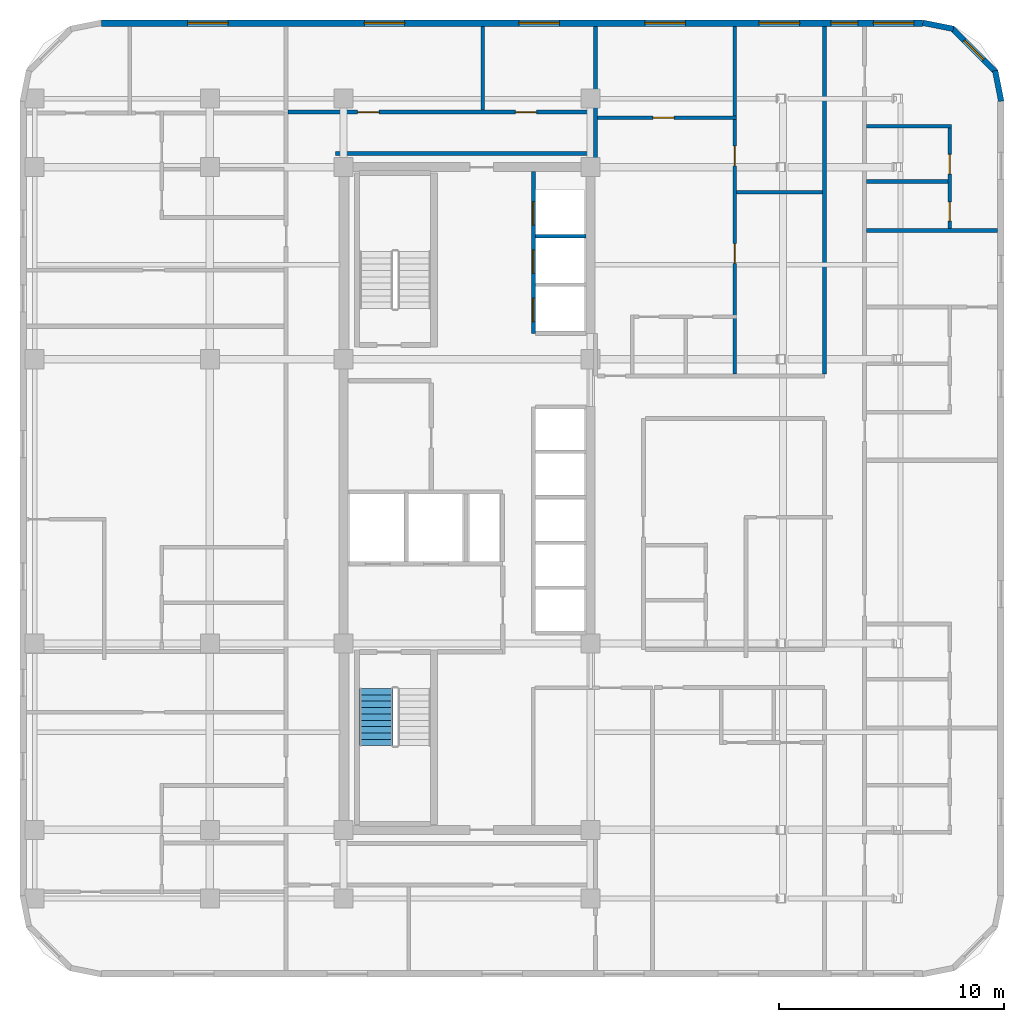
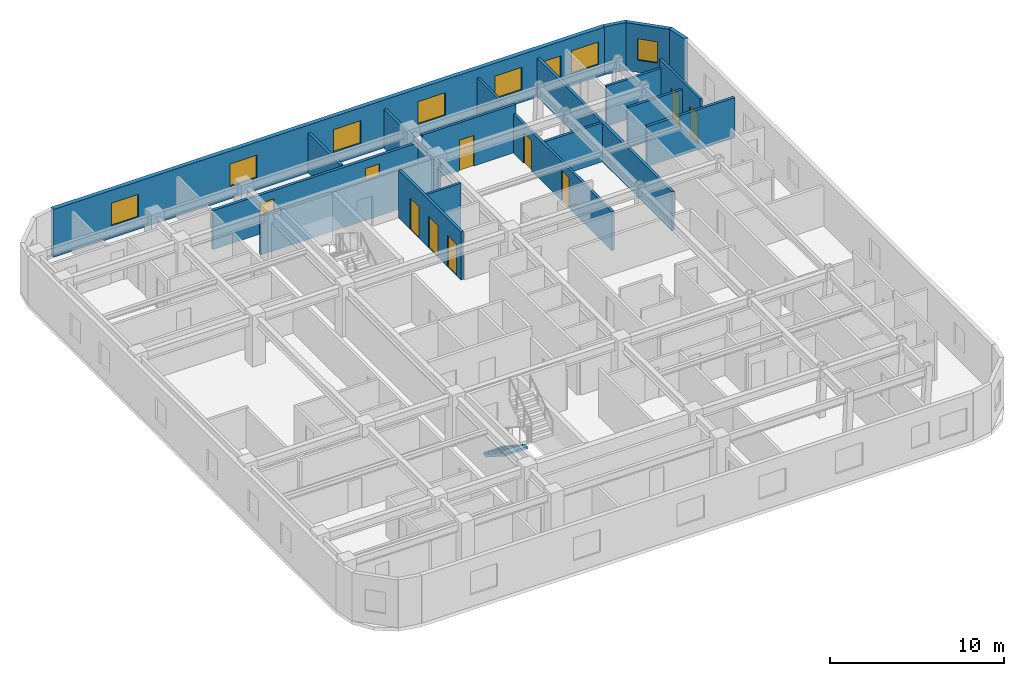
# One storey, part 7 of 9: 18 walls, 10 doors, 8 windows, 1 stair flight, 18 openings, 1 element without a shape of its own.
"""IFC4 building model written with IfcOpenShell, lengths in metres."""

from ifc_helpers import new_model, si_unit, direction, frame, frame_2d, origin, place, context, subcontext, project, spatial, polyline, rectangle, outline, extrude, material, layer, layer_set, type_object, element, fill, aggregate, save


model = new_model("IFC4")

# Units and contexts
model_context = context("Model", 3, precision=1e-05, world=origin(), true_north=direction((0.0, 1.0)))
body_context = subcontext(model_context, "Body", "Model", "MODEL_VIEW")
ifc_project = project(units=[si_unit("LENGTHUNIT", "METRE"), si_unit("AREAUNIT", "SQUARE_METRE"), si_unit("VOLUMEUNIT", "CUBIC_METRE"), si_unit("PLANEANGLEUNIT", "RADIAN"), si_unit("MASSUNIT", "GRAM", prefix="KILO")], contexts=[model_context])

# Site, building, storey
site_placement = place(None, origin())
site = spatial("IfcSite", under=ifc_project, at=site_placement, CompositionType="ELEMENT")
building_placement = place(site_placement, origin())
building = spatial("IfcBuilding", under=site, at=building_placement, Name="Ochreholt Gables", CompositionType="ELEMENT")
storey_placement = place(building_placement, frame((0.0, 0.0, 106.199951171875)))
storey = spatial("IfcBuildingStorey", under=building, at=storey_placement, Name="L27", CompositionType="ELEMENT", Elevation=106.199951171875)

# Wall, openings, windows
ifc_material_1 = material(Name="Precast concrete 40 MPa", Category="concrete")
ifc_layer_1 = layer(ifc_material_1, 0.280029296875, Name="Precast concrete 40 MPa")
ifc_layer_set_1 = layer_set([ifc_layer_1], Name="Precast concrete 40 MPa")
wall_type_1 = type_object("IfcWallType", Name="WALL-EXT-280", PredefinedType="SOLIDWALL", material=ifc_layer_set_1)
wall_1_placement = place(storey_placement, frame((49.97998046875, 45.159912109375, 0.0), z_axis=(0.0, 0.0, 1.0), x_axis=(-1.0, 0.0, 0.0)))
wall_1 = element("IfcWall", 1, at=wall_1_placement, inside=storey, type_object=wall_type_1, Name="L27 North Exterior Wall", PredefinedType="SOLIDWALL", context=body_context, shape_type="SweptSolid", body=[
    extrude(rectangle(XDim=36.56005859375, YDim=0.280029296875, at=frame_2d((18.280029296875, 0.0))), origin(), (0.0, 0.0, 1.0), 3.360107421875),
])
opening_1_placement = place(wall_1_placement, frame((30.9150390625, 0.0, 0.85009765625)))
opening_1 = element("IfcOpeningElement", 2, at=opening_1_placement, cuts=wall_1, Name="Opening WN-1", PredefinedType="OPENING", context=body_context, shape_type="SweptSolid", body=[
    extrude(rectangle(XDim=1.800048828125, YDim=1.60009765625, at=frame_2d((0.89990234375, 0.800048828125))), frame((0.0, 0.14990234375, 0.0), z_axis=(0.0, -1.0, 0.0), x_axis=(1.0, 0.0, 0.0)), (0.0, 0.0, 1.0), 0.300048828125),
])
opening_2_placement = place(wall_1_placement, frame((23.054931640625, 0.0, 0.85009765625)))
opening_2 = element("IfcOpeningElement", 3, at=opening_2_placement, cuts=wall_1, Name="Opening WN-1", PredefinedType="OPENING", context=body_context, shape_type="SweptSolid", body=[
    extrude(rectangle(XDim=1.800048828125, YDim=1.60009765625, at=frame_2d((0.89990234375, 0.800048828125))), frame((0.0, 0.14990234375, 0.0), z_axis=(0.0, -1.0, 0.0), x_axis=(1.0, 0.0, 0.0)), (0.0, 0.0, 1.0), 0.300048828125),
])
opening_3_placement = place(wall_1_placement, frame((16.169921875, 0.0, 0.85009765625)))
opening_3 = element("IfcOpeningElement", 4, at=opening_3_placement, cuts=wall_1, Name="Opening WN-1", PredefinedType="OPENING", context=body_context, shape_type="SweptSolid", body=[
    extrude(rectangle(XDim=1.800048828125, YDim=1.60009765625, at=frame_2d((0.89990234375, 0.800048828125))), frame((0.0, 0.14990234375, 0.0), z_axis=(0.0, -1.0, 0.0), x_axis=(1.0, 0.0, 0.0)), (0.0, 0.0, 1.0), 0.300048828125),
])
opening_4_placement = place(wall_1_placement, frame((10.56494140625, 0.0, 0.85009765625)))
opening_4 = element("IfcOpeningElement", 5, at=opening_4_placement, cuts=wall_1, Name="Opening WN-1", PredefinedType="OPENING", context=body_context, shape_type="SweptSolid", body=[
    extrude(rectangle(XDim=1.800048828125, YDim=1.60009765625, at=frame_2d((0.89990234375, 0.800048828125))), frame((0.0, 0.14990234375, 0.0), z_axis=(0.0, -1.0, 0.0), x_axis=(1.0, 0.0, 0.0)), (0.0, 0.0, 1.0), 0.300048828125),
])
opening_5_placement = place(wall_1_placement, frame((5.47509765625, 0.0, 0.85009765625)))
opening_5 = element("IfcOpeningElement", 6, at=opening_5_placement, cuts=wall_1, Name="Opening WN-1", PredefinedType="OPENING", context=body_context, shape_type="SweptSolid", body=[
    extrude(rectangle(XDim=1.800048828125, YDim=1.60009765625, at=frame_2d((0.89990234375, 0.800048828125))), frame((0.0, 0.14990234375, 0.0), z_axis=(0.0, -1.0, 0.0), x_axis=(1.0, 0.0, 0.0)), (0.0, 0.0, 1.0), 0.300048828125),
])
opening_6_placement = place(wall_1_placement, frame((2.8798828125, 0.0, 0.85009765625)))
opening_6 = element("IfcOpeningElement", 7, at=opening_6_placement, cuts=wall_1, Name="Opening WN-3", PredefinedType="OPENING", context=body_context, shape_type="SweptSolid", body=[
    extrude(rectangle(XDim=1.199951171875, YDim=1.5, at=frame_2d((0.60009765625, 0.75))), frame((0.0, 0.14990234375, 0.0), z_axis=(0.0, -1.0, 0.0), x_axis=(1.0, 0.0, 0.0)), (0.0, 0.0, 1.0), 0.300048828125),
])
opening_7_placement = place(wall_1_placement, frame((0.389892578125, 0.0, 0.85009765625)))
opening_7 = element("IfcOpeningElement", 8, at=opening_7_placement, cuts=wall_1, Name="Opening WN-1", PredefinedType="OPENING", context=body_context, shape_type="SweptSolid", body=[
    extrude(rectangle(XDim=1.800048828125, YDim=1.60009765625, at=frame_2d((0.89990234375, 0.800048828125))), frame((0.0, 0.14990234375, 0.0), z_axis=(0.0, -1.0, 0.0), x_axis=(1.0, 0.0, 0.0)), (0.0, 0.0, 1.0), 0.300048828125),
])
ifc_material_2 = material(Name="Triple-Glazed Thermally Broken Aluminium Window", Category="aluminium")
window_type_1 = type_object("IfcWindowType", Name="WIN-RES-1200", PartitioningType="SINGLE_PANEL", PredefinedType="WINDOW", material=ifc_material_2)
window_1_placement = place(opening_6_placement, origin())
window_1 = element("IfcWindow", 9, at=window_1_placement, inside=storey, type_object=window_type_1, Name="L27 Window W-EXT-N-L27-6", OverallHeight=1.5, OverallWidth=1.199951171875, PartitioningType="SINGLE_PANEL", PredefinedType="WINDOW", context=body_context, shape_type="SweptSolid", body=[
    extrude(rectangle(XDim=1.199951171875, YDim=1.5, at=frame_2d((0.60009765625, 0.75))), frame((0.0, 0.030029296875, 0.0), z_axis=(0.0, -1.0, 0.0), x_axis=(1.0, 0.0, 0.0)), (0.0, 0.0, 1.0), 0.06005859375),
])
fill(opening_6, window_1)
window_type_2 = type_object("IfcWindowType", Name="WIN-RES-1800", PartitioningType="SINGLE_PANEL", PredefinedType="WINDOW", material=ifc_material_2)
window_2_placement = place(opening_1_placement, origin())
window_2 = element("IfcWindow", 10, at=window_2_placement, inside=storey, type_object=window_type_2, Name="L27 Window W-EXT-N-L27-1", OverallHeight=1.60009765625, OverallWidth=1.800048828125, PartitioningType="SINGLE_PANEL", PredefinedType="WINDOW", context=body_context, shape_type="SweptSolid", body=[
    extrude(rectangle(XDim=1.800048828125, YDim=1.60009765625, at=frame_2d((0.89990234375, 0.800048828125))), frame((0.0, 0.030029296875, 0.0), z_axis=(0.0, -1.0, 0.0), x_axis=(1.0, 0.0, 0.0)), (0.0, 0.0, 1.0), 0.06005859375),
])
fill(opening_1, window_2)
window_3_placement = place(opening_2_placement, origin())
window_3 = element("IfcWindow", 11, at=window_3_placement, inside=storey, type_object=window_type_2, Name="L27 Window W-EXT-N-L27-2", OverallHeight=1.60009765625, OverallWidth=1.800048828125, PartitioningType="SINGLE_PANEL", PredefinedType="WINDOW", context=body_context, shape_type="SweptSolid", body=[
    extrude(rectangle(XDim=1.800048828125, YDim=1.60009765625, at=frame_2d((0.89990234375, 0.800048828125))), frame((0.0, 0.030029296875, 0.0), z_axis=(0.0, -1.0, 0.0), x_axis=(1.0, 0.0, 0.0)), (0.0, 0.0, 1.0), 0.06005859375),
])
fill(opening_2, window_3)
window_4_placement = place(opening_3_placement, origin())
window_4 = element("IfcWindow", 12, at=window_4_placement, inside=storey, type_object=window_type_2, Name="L27 Window W-EXT-N-L27-3", OverallHeight=1.60009765625, OverallWidth=1.800048828125, PartitioningType="SINGLE_PANEL", PredefinedType="WINDOW", context=body_context, shape_type="SweptSolid", body=[
    extrude(rectangle(XDim=1.800048828125, YDim=1.60009765625, at=frame_2d((0.89990234375, 0.800048828125))), frame((0.0, 0.030029296875, 0.0), z_axis=(0.0, -1.0, 0.0), x_axis=(1.0, 0.0, 0.0)), (0.0, 0.0, 1.0), 0.06005859375),
])
fill(opening_3, window_4)
window_5_placement = place(opening_4_placement, origin())
window_5 = element("IfcWindow", 13, at=window_5_placement, inside=storey, type_object=window_type_2, Name="L27 Window W-EXT-N-L27-4", OverallHeight=1.60009765625, OverallWidth=1.800048828125, PartitioningType="SINGLE_PANEL", PredefinedType="WINDOW", context=body_context, shape_type="SweptSolid", body=[
    extrude(rectangle(XDim=1.800048828125, YDim=1.60009765625, at=frame_2d((0.89990234375, 0.800048828125))), frame((0.0, 0.030029296875, 0.0), z_axis=(0.0, -1.0, 0.0), x_axis=(1.0, 0.0, 0.0)), (0.0, 0.0, 1.0), 0.06005859375),
])
fill(opening_4, window_5)
window_6_placement = place(opening_5_placement, origin())
window_6 = element("IfcWindow", 14, at=window_6_placement, inside=storey, type_object=window_type_2, Name="L27 Window W-EXT-N-L27-5", OverallHeight=1.60009765625, OverallWidth=1.800048828125, PartitioningType="SINGLE_PANEL", PredefinedType="WINDOW", context=body_context, shape_type="SweptSolid", body=[
    extrude(rectangle(XDim=1.800048828125, YDim=1.60009765625, at=frame_2d((0.89990234375, 0.800048828125))), frame((0.0, 0.030029296875, 0.0), z_axis=(0.0, -1.0, 0.0), x_axis=(1.0, 0.0, 0.0)), (0.0, 0.0, 1.0), 0.06005859375),
])
fill(opening_5, window_6)
window_7_placement = place(opening_7_placement, origin())
window_7 = element("IfcWindow", 15, at=window_7_placement, inside=storey, type_object=window_type_2, Name="L27 Window W-EXT-N-L27-7", OverallHeight=1.60009765625, OverallWidth=1.800048828125, PartitioningType="SINGLE_PANEL", PredefinedType="WINDOW", context=body_context, shape_type="SweptSolid", body=[
    extrude(rectangle(XDim=1.800048828125, YDim=1.60009765625, at=frame_2d((0.89990234375, 0.800048828125))), frame((0.0, 0.030029296875, 0.0), z_axis=(0.0, -1.0, 0.0), x_axis=(1.0, 0.0, 0.0)), (0.0, 0.0, 1.0), 0.06005859375),
])
fill(opening_7, window_7)

# Wall
ifc_layer_2 = layer(ifc_material_1, 0.25, Name="Precast concrete 40 MPa")
ifc_layer_set_2 = layer_set([ifc_layer_2], Name="Precast concrete 40 MPa")
wall_type_2 = type_object("IfcWallType", Name="WALL-EXT-CNR", PredefinedType="SOLIDWALL", material=ifc_layer_set_2)
wall_2_placement = place(storey_placement, frame((53.475830078125, 41.68359375, 0.0), z_axis=(0.0, 0.0, 1.0), x_axis=(-0.195000137217, 0.980803214965, 0.0)))
element("IfcWall", 16, at=wall_2_placement, inside=storey, type_object=wall_type_2, Name="L27 Rounded Corner Wall NE-1", PredefinedType="SOLIDWALL", context=body_context, shape_type="SweptSolid", body=[
    extrude(rectangle(XDim=1.388427734375, YDim=0.25, at=frame_2d((0.6943359375, 0.0))), origin(), (0.0, 0.0, 1.0), 3.360107421875),
])

# Wall, opening, window
wall_3_placement = place(storey_placement, frame((53.23193359375, 42.9951171875, 0.0), z_axis=(0.0, 0.0, 1.0), x_axis=(-0.707151344399, 0.707062215165, 0.0)))
wall_3 = element("IfcWall", 17, at=wall_3_placement, inside=storey, type_object=wall_type_2, Name="L27 Rounded Corner Wall NE-2", PredefinedType="SOLIDWALL", context=body_context, shape_type="SweptSolid", body=[
    extrude(rectangle(XDim=2.7392578125, YDim=0.25, at=frame_2d((1.36962890625, 0.0))), origin(), (0.0, 0.0, 1.0), 3.360107421875),
])
opening_8_placement = place(wall_3_placement, frame((0.769775390625, 0.0, 0.85009765625)))
opening_8 = element("IfcOpeningElement", 18, at=opening_8_placement, cuts=wall_3, Name="Opening WN-3", PredefinedType="OPENING", context=body_context, shape_type="SweptSolid", body=[
    extrude(rectangle(XDim=1.199951171875, YDim=1.5, at=frame_2d((0.60009765625, 0.75))), frame((0.0, 0.135009765625, 0.0), z_axis=(0.0, -1.0, 0.0), x_axis=(1.0, 0.0, 0.0)), (0.0, 0.0, 1.0), 0.27001953125),
])
window_8_placement = place(opening_8_placement, origin())
window_8 = element("IfcWindow", 19, at=window_8_placement, inside=storey, type_object=window_type_1, Name="L27 Corner Bedroom Window NE", OverallHeight=1.5, OverallWidth=1.199951171875, PartitioningType="SINGLE_PANEL", PredefinedType="WINDOW", context=body_context, shape_type="SweptSolid", body=[
    extrude(rectangle(XDim=1.199951171875, YDim=1.5, at=frame_2d((0.60009765625, 0.75))), frame((0.0, 0.030029296875, 0.0), z_axis=(0.0, -1.0, 0.0), x_axis=(1.0, 0.0, 0.0)), (0.0, 0.0, 1.0), 0.06005859375),
])
fill(opening_8, window_8)

# Wall
wall_4_placement = place(storey_placement, frame((51.345458984375, 44.905029296875, 0.0), z_axis=(0.0, 0.0, 1.0), x_axis=(-0.980809899341, 0.19496651342, 0.0)))
element("IfcWall", 20, at=wall_4_placement, inside=storey, type_object=wall_type_2, Name="L27 Rounded Corner Wall NE-3", PredefinedType="SOLIDWALL", context=body_context, shape_type="SweptSolid", body=[
    extrude(rectangle(XDim=1.388671875, YDim=0.25, at=frame_2d((0.6943359375, 0.0))), origin(), (0.0, 0.0, 1.0), 3.360107421875),
])

# Wall, openings, doors
ifc_material_3 = material(Name="Fire-Rated Gypsum Acoustic Partition", Category="gypsum")
ifc_layer_3 = layer(ifc_material_3, 0.179931640625, Name="Fire-Rated Gypsum Acoustic Partition")
ifc_layer_set_3 = layer_set([ifc_layer_3], Name="Fire-Rated Gypsum Acoustic Partition")
wall_type_3 = type_object("IfcWallType", Name="WALL-INT-CR180", PredefinedType="STANDARD", material=ifc_layer_set_3)
wall_5_placement = place(storey_placement, frame((21.739990234375, 41.199951171875, 0.0), z_axis=(0.0, 0.0, 1.0), x_axis=(1.0, 0.0, 0.0)))
wall_5 = element("IfcWall", 21, at=wall_5_placement, inside=storey, type_object=wall_type_3, Name="L27 Interior Wall WI-C2WCN-L27", PredefinedType="STANDARD", context=body_context, shape_type="SweptSolid", body=[
    extrude(rectangle(XDim=13.679931640625, YDim=0.179931640625, at=frame_2d((6.83984375, 0.0))), origin(), (0.0, 0.0, 1.0), 2.73095703125),
])
opening_9_placement = place(wall_5_placement, frame((3.090087890625, 0.0, 0.0)))
opening_9 = element("IfcOpeningElement", 22, at=opening_9_placement, cuts=wall_5, Name="Opening D-GN1", PredefinedType="OPENING", context=body_context, shape_type="SweptSolid", body=[
    extrude(rectangle(XDim=0.949951171875, YDim=2.14990234375, at=frame_2d((0.47509765625, 1.074951171875))), frame((0.0, 0.099853515625, 0.0), z_axis=(0.0, -1.0, 0.0), x_axis=(1.0, 0.0, 0.0)), (0.0, 0.0, 1.0), 0.199951171875),
])
opening_10_placement = place(wall_5_placement, frame((10.110107421875, 0.0, 0.0)))
opening_10 = element("IfcOpeningElement", 23, at=opening_10_placement, cuts=wall_5, Name="Opening D-GN1", PredefinedType="OPENING", context=body_context, shape_type="SweptSolid", body=[
    extrude(rectangle(XDim=0.949951171875, YDim=2.14990234375, at=frame_2d((0.47509765625, 1.074951171875))), frame((0.0, 0.099853515625, 0.0), z_axis=(0.0, -1.0, 0.0), x_axis=(1.0, 0.0, 0.0)), (0.0, 0.0, 1.0), 0.199951171875),
])
ifc_material_4 = material(Name="Engineered Oak Timber", Category="wood")
door_type_1 = type_object("IfcDoorType", Name="DR-INT-GEN950", OperationType="NOTDEFINED", PredefinedType="DOOR", material=ifc_material_4)
door_1_placement = place(opening_9_placement, origin())
door_1 = element("IfcDoor", 24, at=door_1_placement, inside=storey, type_object=door_type_1, Name="L27 Door D-C2NRS1-L27", OperationType="SINGLE_SWING_RIGHT", OverallHeight=2.14990234375, OverallWidth=0.949951171875, PredefinedType="DOOR", context=body_context, shape_type="SweptSolid", body=[
    extrude(rectangle(XDim=0.949951171875, YDim=2.14990234375, at=frame_2d((0.47509765625, 1.074951171875))), frame((0.0, 0.02490234375, 0.0), z_axis=(0.0, -1.0, 0.0), x_axis=(1.0, 0.0, 0.0)), (0.0, 0.0, 1.0), 0.050048828125),
])
fill(opening_9, door_1)
door_2_placement = place(opening_10_placement, origin())
door_2 = element("IfcDoor", 25, at=door_2_placement, inside=storey, type_object=door_type_1, Name="L27 Door D-C2NRS2-L27", OperationType="SINGLE_SWING_LEFT", OverallHeight=2.14990234375, OverallWidth=0.949951171875, PredefinedType="DOOR", context=body_context, shape_type="SweptSolid", body=[
    extrude(rectangle(XDim=0.949951171875, YDim=2.14990234375, at=frame_2d((0.47509765625, 1.074951171875))), frame((0.0, 0.02490234375, 0.0), z_axis=(0.0, -1.0, 0.0), x_axis=(1.0, 0.0, 0.0)), (0.0, 0.0, 1.0), 0.050048828125),
])
fill(opening_10, door_2)

# Walls
wall_6_placement = place(storey_placement, frame((23.85009765625, 39.35009765625, 0.0), z_axis=(0.0, 0.0, 1.0), x_axis=(1.0, 0.0, 0.0)))
element("IfcWall", 26, at=wall_6_placement, inside=storey, type_object=wall_type_3, Name="L27 Interior Wall WI-C2WCN2-L27", PredefinedType="STANDARD", context=body_context, shape_type="SweptSolid", body=[
    extrude(rectangle(XDim=11.56982421875, YDim=0.179931640625, at=frame_2d((5.784912109375, 0.0))), origin(), (0.0, 0.0, 1.0), 2.73095703125),
])
wall_7_placement = place(storey_placement, frame((45.60009765625, 29.550048828125, 0.0), z_axis=(0.0, 0.0, 1.0), x_axis=(0.0, 1.0, 0.0)))
element("IfcWall", 27, at=wall_7_placement, inside=storey, type_object=wall_type_3, Name="L27 Interior Wall WI-C2FEGW3-L27", PredefinedType="STANDARD", context=body_context, shape_type="SweptSolid", body=[
    extrude(rectangle(XDim=15.469970703125, YDim=0.179931640625, at=frame_2d((7.73486328125, 0.0))), origin(), (0.0, 0.0, 1.0), 2.73095703125),
])
ifc_material_5 = material(Name="Double-Stud Acoustic Demising Wall", Category="gypsum")
ifc_layer_4 = layer(ifc_material_5, 0.179931640625, Name="Double-Stud Acoustic Demising Wall")
ifc_layer_set_4 = layer_set([ifc_layer_4], Name="Double-Stud Acoustic Demising Wall")
wall_type_4 = type_object("IfcWallType", Name="WALL-INT-DM180", PredefinedType="PARTITIONING", material=ifc_layer_set_4)
wall_8_placement = place(storey_placement, frame((35.419921875, 38.75, 0.0), z_axis=(0.0, 0.0, 1.0), x_axis=(0.0, 1.0, 0.0)))
element("IfcWall", 28, at=wall_8_placement, inside=storey, type_object=wall_type_4, Name="L27 Interior Wall WI-C2NEN-L27", PredefinedType="PARTITIONING", context=body_context, shape_type="SweptSolid", body=[
    extrude(rectangle(XDim=6.27001953125, YDim=0.179931640625, at=frame_2d((3.135009765625, 0.0))), origin(), (0.0, 0.0, 1.0), 2.73095703125),
])
wall_9_placement = place(storey_placement, frame((47.489990234375, 35.927978515625, 0.0), z_axis=(0.0, 0.0, 1.0), x_axis=(1.0, 0.0, 0.0)))
element("IfcWall", 29, at=wall_9_placement, inside=storey, type_object=wall_type_4, Name="L27 Interior Wall WI-C2FED4-L27", PredefinedType="PARTITIONING", context=body_context, shape_type="SweptSolid", body=[
    extrude(rectangle(XDim=5.830078125, YDim=0.179931640625, at=frame_2d((2.9150390625, 0.0))), origin(), (0.0, 0.0, 1.0), 2.80908203125),
])
ifc_material_6 = material(Name="Moisture-Resistant Plumbing Chase Wall", Category="gypsum")
ifc_layer_5 = layer(ifc_material_6, 0.159912109375, Name="Moisture-Resistant Plumbing Chase Wall")
ifc_layer_set_5 = layer_set([ifc_layer_5], Name="Moisture-Resistant Plumbing Chase Wall")
wall_type_5 = type_object("IfcWallType", Name="WALL-INT-PL160", PredefinedType="PLUMBINGWALL", material=ifc_layer_set_5)
wall_10_placement = place(storey_placement, frame((47.489990234375, 40.568115234375, 0.0), z_axis=(0.0, 0.0, 1.0), x_axis=(1.0, 0.0, 0.0)))
element("IfcWall", 30, at=wall_10_placement, inside=storey, type_object=wall_type_5, Name="L27 Interior Wall WU-L27FE4-WYN", PredefinedType="PLUMBINGWALL", context=body_context, shape_type="SweptSolid", body=[
    extrude(rectangle(XDim=3.775146484375, YDim=0.159912109375, at=frame_2d((1.8876953125, 0.0))), origin(), (0.0, 0.0, 1.0), 2.80908203125),
])

# Wall, openings, doors
wall_11_placement = place(storey_placement, frame((51.185302734375, 36.01806640625, 0.0), z_axis=(0.0, 0.0, 1.0), x_axis=(0.0, 1.0, 0.0)))
wall_11 = element("IfcWall", 31, at=wall_11_placement, inside=storey, type_object=wall_type_5, Name="L27 Interior Wall WU-L27FE4-WX", PredefinedType="PLUMBINGWALL", context=body_context, shape_type="SweptSolid", body=[
    extrude(rectangle(XDim=4.639892578125, YDim=0.159912109375, at=frame_2d((2.31982421875, 0.0))), origin(), (0.0, 0.0, 1.0), 3.360107421875),
])
opening_11_placement = place(wall_11_placement, frame((0.330078125, 0.0, 0.0)))
opening_11 = element("IfcOpeningElement", 32, at=opening_11_placement, cuts=wall_11, Name="Opening D-BT1", PredefinedType="OPENING", context=body_context, shape_type="SweptSolid", body=[
    extrude(rectangle(XDim=0.860107421875, YDim=2.1201171875, at=frame_2d((0.43017578125, 1.06005859375))), frame((0.0, 0.08984375, 0.0), z_axis=(0.0, -1.0, 0.0), x_axis=(1.0, 0.0, 0.0)), (0.0, 0.0, 1.0), 0.179931640625),
])
opening_12_placement = place(wall_11_placement, frame((2.423095703125, 0.0, 0.0)))
opening_12 = element("IfcOpeningElement", 33, at=opening_12_placement, cuts=wall_11, Name="Opening D-GN2", PredefinedType="OPENING", context=body_context, shape_type="SweptSolid", body=[
    extrude(rectangle(XDim=0.8798828125, YDim=2.1201171875, at=frame_2d((0.43994140625, 1.06005859375))), frame((0.0, 0.08984375, 0.0), z_axis=(0.0, -1.0, 0.0), x_axis=(1.0, 0.0, 0.0)), (0.0, 0.0, 1.0), 0.179931640625),
])
door_type_2 = type_object("IfcDoorType", Name="DR-INT-BTH860", OperationType="NOTDEFINED", PredefinedType="DOOR", material=ifc_material_4)
door_3_placement = place(opening_11_placement, origin())
door_3 = element("IfcDoor", 34, at=door_3_placement, inside=storey, type_object=door_type_2, Name="L27 Door D-U-L27FE4-BTH", OperationType="SINGLE_SWING_LEFT", OverallHeight=2.1201171875, OverallWidth=0.860107421875, PredefinedType="DOOR", context=body_context, shape_type="SweptSolid", body=[
    extrude(rectangle(XDim=0.860107421875, YDim=2.1201171875, at=frame_2d((0.43017578125, 1.06005859375))), frame((0.0, 0.02490234375, 0.0), z_axis=(0.0, -1.0, 0.0), x_axis=(1.0, 0.0, 0.0)), (0.0, 0.0, 1.0), 0.050048828125),
])
fill(opening_11, door_3)
door_type_3 = type_object("IfcDoorType", Name="DR-INT-GEN880", OperationType="NOTDEFINED", PredefinedType="DOOR", material=ifc_material_4)
door_4_placement = place(opening_12_placement, origin())
door_4 = element("IfcDoor", 35, at=door_4_placement, inside=storey, type_object=door_type_3, Name="L27 Door D-U-L27FE4-KIT", OperationType="SINGLE_SWING_RIGHT", OverallHeight=2.1201171875, OverallWidth=0.8798828125, PredefinedType="DOOR", context=body_context, shape_type="SweptSolid", body=[
    extrude(rectangle(XDim=0.8798828125, YDim=2.1201171875, at=frame_2d((0.43994140625, 1.06005859375))), frame((0.0, 0.02490234375, 0.0), z_axis=(0.0, -1.0, 0.0), x_axis=(1.0, 0.0, 0.0)), (0.0, 0.0, 1.0), 0.050048828125),
])
fill(opening_12, door_4)

# Wall
wall_12_placement = place(storey_placement, frame((47.489990234375, 38.111083984375, 0.0), z_axis=(0.0, 0.0, 1.0), x_axis=(1.0, 0.0, 0.0)))
element("IfcWall", 36, at=wall_12_placement, inside=storey, type_object=wall_type_5, Name="L27 Interior Wall WU-L27FE4-WM", PredefinedType="PLUMBINGWALL", context=body_context, shape_type="SweptSolid", body=[
    extrude(rectangle(XDim=3.615234375, YDim=0.159912109375, at=frame_2d((1.8076171875, 0.0))), origin(), (0.0, 0.0, 1.0), 2.80908203125),
])

# Wall, openings, doors
ifc_material_7 = material(Name="Gypsum Acoustic Stud Partition", Category="gypsum")
ifc_layer_6 = layer(ifc_material_7, 0.1650390625, Name="Gypsum Acoustic Stud Partition")
ifc_layer_set_6 = layer_set([ifc_layer_6], Name="Gypsum Acoustic Stud Partition")
wall_type_6 = type_object("IfcWallType", Name="WALL-INT-PT165", PredefinedType="PARTITIONING", material=ifc_layer_set_6)
wall_13_placement = place(storey_placement, frame((41.610107421875, 29.550048828125, 0.0), z_axis=(0.0, 0.0, 1.0), x_axis=(0.0, 1.0, 0.0)))
wall_13 = element("IfcWall", 37, at=wall_13_placement, inside=storey, type_object=wall_type_6, Name="L27 Interior Wall WU-L27N1-MNX", PredefinedType="PARTITIONING", context=body_context, shape_type="SweptSolid", body=[
    extrude(rectangle(XDim=15.469970703125, YDim=0.1650390625, at=frame_2d((7.73486328125, 0.0))), origin(), (0.0, 0.0, 1.0), 2.73095703125),
])
opening_13_placement = place(wall_13_placement, frame((4.91748046875, 0.0, 0.0)))
opening_13 = element("IfcOpeningElement", 38, at=opening_13_placement, cuts=wall_13, Name="Opening D-BD2", PredefinedType="OPENING", context=body_context, shape_type="SweptSolid", body=[
    extrude(rectangle(XDim=0.8798828125, YDim=2.139892578125, at=frame_2d((0.43994140625, 1.06982421875))), frame((0.0, 0.092529296875, 0.0), z_axis=(0.0, -1.0, 0.0), x_axis=(1.0, 0.0, 0.0)), (0.0, 0.0, 1.0), 0.18505859375),
])
opening_14_placement = place(wall_13_placement, frame((9.2548828125, 0.0, 0.0)))
opening_14 = element("IfcOpeningElement", 39, at=opening_14_placement, cuts=wall_13, Name="Opening D-GN2", PredefinedType="OPENING", context=body_context, shape_type="SweptSolid", body=[
    extrude(rectangle(XDim=0.8798828125, YDim=2.1201171875, at=frame_2d((0.43994140625, 1.06005859375))), frame((0.0, 0.092529296875, 0.0), z_axis=(0.0, -1.0, 0.0), x_axis=(1.0, 0.0, 0.0)), (0.0, 0.0, 1.0), 0.18505859375),
])
door_type_4 = type_object("IfcDoorType", Name="DR-INT-BED880", OperationType="NOTDEFINED", PredefinedType="DOOR", material=ifc_material_4)
door_5_placement = place(opening_13_placement, origin())
door_5 = element("IfcDoor", 40, at=door_5_placement, inside=storey, type_object=door_type_4, Name="L27 Door D-U-L27N1-BD1", OperationType="SINGLE_SWING_LEFT", OverallHeight=2.139892578125, OverallWidth=0.8798828125, PredefinedType="DOOR", context=body_context, shape_type="SweptSolid", body=[
    extrude(rectangle(XDim=0.8798828125, YDim=2.139892578125, at=frame_2d((0.43994140625, 1.06982421875))), frame((0.0, 0.02490234375, 0.0), z_axis=(0.0, -1.0, 0.0), x_axis=(1.0, 0.0, 0.0)), (0.0, 0.0, 1.0), 0.050048828125),
])
fill(opening_13, door_5)
door_6_placement = place(opening_14_placement, origin())
door_6 = element("IfcDoor", 41, at=door_6_placement, inside=storey, type_object=door_type_3, Name="L27 Door D-U-L27N1-BD2", OperationType="SINGLE_SWING_RIGHT", OverallHeight=2.1201171875, OverallWidth=0.8798828125, PredefinedType="DOOR", context=body_context, shape_type="SweptSolid", body=[
    extrude(rectangle(XDim=0.8798828125, YDim=2.1201171875, at=frame_2d((0.43994140625, 1.06005859375))), frame((0.0, 0.02490234375, 0.0), z_axis=(0.0, -1.0, 0.0), x_axis=(1.0, 0.0, 0.0)), (0.0, 0.0, 1.0), 0.050048828125),
])
fill(opening_14, door_6)

# Wall, opening, door
wall_14_placement = place(storey_placement, frame((35.510009765625, 40.949951171875, 0.0), z_axis=(0.0, 0.0, 1.0), x_axis=(1.0, 0.0, 0.0)))
wall_14 = element("IfcWall", 42, at=wall_14_placement, inside=storey, type_object=wall_type_6, Name="L27 Interior Wall WU-L27N1-DNY", PredefinedType="PARTITIONING", context=body_context, shape_type="SweptSolid", body=[
    extrude(rectangle(XDim=6.179931640625, YDim=0.1650390625, at=frame_2d((3.08984375, 0.0))), origin(), (0.0, 0.0, 1.0), 3.360107421875),
])
opening_15_placement = place(wall_14_placement, frame((2.455078125, 0.0, 0.0)))
opening_15 = element("IfcOpeningElement", 43, at=opening_15_placement, cuts=wall_14, Name="Opening D-GN1", PredefinedType="OPENING", context=body_context, shape_type="SweptSolid", body=[
    extrude(rectangle(XDim=0.949951171875, YDim=2.14990234375, at=frame_2d((0.47509765625, 1.074951171875))), frame((0.0, 0.092529296875, 0.0), z_axis=(0.0, -1.0, 0.0), x_axis=(1.0, 0.0, 0.0)), (0.0, 0.0, 1.0), 0.18505859375),
])
door_7_placement = place(opening_15_placement, origin())
door_7 = element("IfcDoor", 44, at=door_7_placement, inside=storey, type_object=door_type_1, Name="L27 Door D-U-L27N1-DIN", OperationType="SINGLE_SWING_RIGHT", OverallHeight=2.14990234375, OverallWidth=0.949951171875, PredefinedType="DOOR", context=body_context, shape_type="SweptSolid", body=[
    extrude(rectangle(XDim=0.949951171875, YDim=2.14990234375, at=frame_2d((0.47509765625, 1.074951171875))), frame((0.0, 0.02490234375, 0.0), z_axis=(0.0, -1.0, 0.0), x_axis=(1.0, 0.0, 0.0)), (0.0, 0.0, 1.0), 0.050048828125),
])
fill(opening_15, door_7)

# Walls
wall_15_placement = place(storey_placement, frame((41.68994140625, 37.6298828125, 0.0), z_axis=(0.0, 0.0, 1.0), x_axis=(1.0, 0.0, 0.0)))
element("IfcWall", 45, at=wall_15_placement, inside=storey, type_object=wall_type_6, Name="L27 Interior Wall WU-L27N1-RDV", PredefinedType="PARTITIONING", context=body_context, shape_type="SweptSolid", body=[
    extrude(rectangle(XDim=3.820068359375, YDim=0.1650390625, at=frame_2d((1.91015625, 0.0))), origin(), (0.0, 0.0, 1.0), 2.73095703125),
])
wall_16_placement = place(storey_placement, frame((30.39990234375, 41.2900390625, 0.0), z_axis=(0.0, 0.0, 1.0), x_axis=(0.0, 1.0, 0.0)))
element("IfcWall", 46, at=wall_16_placement, inside=storey, type_object=wall_type_6, Name="L27 Interior Wall WI-C2PKN-L27", PredefinedType="PARTITIONING", context=body_context, shape_type="SweptSolid", body=[
    extrude(rectangle(XDim=3.72998046875, YDim=0.1650390625, at=frame_2d((1.864990234375, 0.0))), origin(), (0.0, 0.0, 1.0), 2.80908203125),
])
ifc_material_8 = material(Name="Gypsum Shaftliner and Steel Stud", Category="steel")
ifc_layer_7 = layer(ifc_material_8, 0.14990234375, Name="Gypsum Shaftliner and Steel Stud")
ifc_layer_set_7 = layer_set([ifc_layer_7], Name="Gypsum Shaftliner and Steel Stud")
wall_type_7 = type_object("IfcWallType", Name="WALL-INT-SH150", PredefinedType="STANDARD", material=ifc_layer_set_7)
wall_17_placement = place(storey_placement, frame((32.739990234375, 35.669921875, 0.0), z_axis=(0.0, 0.0, 1.0), x_axis=(1.0, 0.0, 0.0)))
element("IfcWall", 47, at=wall_17_placement, inside=storey, type_object=wall_type_7, Name="L27 Interior Wall WI-LFM-D2-L27", PredefinedType="STANDARD", context=body_context, shape_type="SweptSolid", body=[
    extrude(rectangle(XDim=2.260009765625, YDim=0.14990234375, at=frame_2d((1.1298828125, 0.0))), origin(), (0.0, 0.0, 1.0), 3.360107421875),
])

# Wall, openings, doors
ifc_layer_8 = layer(ifc_material_8, 0.179931640625, Name="Gypsum Shaftliner and Steel Stud")
ifc_layer_set_8 = layer_set([ifc_layer_8], Name="Gypsum Shaftliner and Steel Stud")
wall_type_8 = type_object("IfcWallType", Name="WALL-INT-SH180", PredefinedType="STANDARD", material=ifc_layer_set_8)
wall_18_placement = place(storey_placement, frame((32.64990234375, 31.35009765625, 0.0), z_axis=(0.0, 0.0, 1.0), x_axis=(0.0, 1.0, 0.0)))
wall_18 = element("IfcWall", 48, at=wall_18_placement, inside=storey, type_object=wall_type_8, Name="L27 Interior Wall WI-LFM-FR-L27", PredefinedType="STANDARD", context=body_context, shape_type="SweptSolid", body=[
    extrude(rectangle(XDim=7.199951171875, YDim=0.179931640625, at=frame_2d((3.60009765625, 0.0))), origin(), (0.0, 0.0, 1.0), 3.360107421875),
])
opening_16_placement = place(wall_18_placement, frame((0.52001953125, 0.0, 0.0)))
opening_16 = element("IfcOpeningElement", 49, at=opening_16_placement, cuts=wall_18, Name="Opening LD-PX", PredefinedType="OPENING", context=body_context, shape_type="SweptSolid", body=[
    extrude(rectangle(XDim=1.050048828125, YDim=2.199951171875, at=frame_2d((0.52490234375, 1.10009765625))), frame((0.0, 0.099853515625, 0.0), z_axis=(0.0, -1.0, 0.0), x_axis=(1.0, 0.0, 0.0)), (0.0, 0.0, 1.0), 0.199951171875),
])
opening_17_placement = place(wall_18_placement, frame((2.669921875, 0.0, 0.0)))
opening_17 = element("IfcOpeningElement", 50, at=opening_17_placement, cuts=wall_18, Name="Opening LD-PX", PredefinedType="OPENING", context=body_context, shape_type="SweptSolid", body=[
    extrude(rectangle(XDim=1.050048828125, YDim=2.199951171875, at=frame_2d((0.52490234375, 1.10009765625))), frame((0.0, 0.099853515625, 0.0), z_axis=(0.0, -1.0, 0.0), x_axis=(1.0, 0.0, 0.0)), (0.0, 0.0, 1.0), 0.199951171875),
])
opening_18_placement = place(wall_18_placement, frame((4.820068359375, 0.0, 0.0)))
opening_18 = element("IfcOpeningElement", 51, at=opening_18_placement, cuts=wall_18, Name="Opening LD-PX", PredefinedType="OPENING", context=body_context, shape_type="SweptSolid", body=[
    extrude(rectangle(XDim=1.050048828125, YDim=2.199951171875, at=frame_2d((0.52490234375, 1.10009765625))), frame((0.0, 0.099853515625, 0.0), z_axis=(0.0, -1.0, 0.0), x_axis=(1.0, 0.0, 0.0)), (0.0, 0.0, 1.0), 0.199951171875),
])
ifc_material_9 = material(Name="Stainless Steel", Category="steel")
door_type_5 = type_object("IfcDoorType", Name="DR-LFT-PX1050", OperationType="NOTDEFINED", PredefinedType="DOOR", material=ifc_material_9)
door_8_placement = place(opening_16_placement, origin())
door_8 = element("IfcDoor", 52, at=door_8_placement, inside=storey, type_object=door_type_5, Name="L27 Door LD-M1-L27", OperationType="SLIDING_TO_LEFT", OverallHeight=2.199951171875, OverallWidth=1.050048828125, PredefinedType="DOOR", context=body_context, shape_type="SweptSolid", body=[
    extrude(rectangle(XDim=1.050048828125, YDim=2.199951171875, at=frame_2d((0.52490234375, 1.10009765625))), frame((0.0, 0.02490234375, 0.0), z_axis=(0.0, -1.0, 0.0), x_axis=(1.0, 0.0, 0.0)), (0.0, 0.0, 1.0), 0.050048828125),
])
fill(opening_16, door_8)
door_9_placement = place(opening_17_placement, origin())
door_9 = element("IfcDoor", 53, at=door_9_placement, inside=storey, type_object=door_type_5, Name="L27 Door LD-M2-L27", OperationType="SLIDING_TO_LEFT", OverallHeight=2.199951171875, OverallWidth=1.050048828125, PredefinedType="DOOR", context=body_context, shape_type="SweptSolid", body=[
    extrude(rectangle(XDim=1.050048828125, YDim=2.199951171875, at=frame_2d((0.52490234375, 1.10009765625))), frame((0.0, 0.02490234375, 0.0), z_axis=(0.0, -1.0, 0.0), x_axis=(1.0, 0.0, 0.0)), (0.0, 0.0, 1.0), 0.050048828125),
])
fill(opening_17, door_9)
door_10_placement = place(opening_18_placement, origin())
door_10 = element("IfcDoor", 54, at=door_10_placement, inside=storey, type_object=door_type_5, Name="L27 Door LD-M3-L27", OperationType="SLIDING_TO_LEFT", OverallHeight=2.199951171875, OverallWidth=1.050048828125, PredefinedType="DOOR", context=body_context, shape_type="SweptSolid", body=[
    extrude(rectangle(XDim=1.050048828125, YDim=2.199951171875, at=frame_2d((0.52490234375, 1.10009765625))), frame((0.0, 0.02490234375, 0.0), z_axis=(0.0, -1.0, 0.0), x_axis=(1.0, 0.0, 0.0)), (0.0, 0.0, 1.0), 0.050048828125),
])
fill(opening_18, door_10)

# Stair, stair flight
ifc_material_10 = material(Name="Concrete 40 MPa", Category="concrete")
stair_type = type_object("IfcStairType", Name="STAIR-CORE-ST-1", PredefinedType="HALF_TURN_STAIR", material=ifc_material_10)
stair_placement = place(storey_placement, origin())
stair = element("IfcStair", 55, at=stair_placement, inside=storey, type_object=stair_type, Name="L27 Core Exit Stair 1", PredefinedType="HALF_TURN_STAIR")
stair_flight_type = type_object("IfcStairFlightType", Name="FLIGHT-ST-1480-1800", PredefinedType="STRAIGHT", material=ifc_material_10)
stair_flight_placement = place(storey_placement, frame((25.659912109375, 15.5400390625, 0.0), z_axis=(0.0, 0.0, 1.0), x_axis=(0.0, -1.0, 0.0)))
stair_flight = element("IfcStairFlight", 56, at=stair_flight_placement, type_object=stair_flight_type, Name="ST-1 flight 1", NumberOfRisers=10, NumberOfTreads=9, PredefinedType="STRAIGHT", RiserHeight=0.18, TreadLength=0.282, context=body_context, shape_type="SweptSolid", body=[
    extrude(outline(polyline([(0.0, 0.0), (0.0, 0.179931640625), (0.281982421875, 0.179931640625), (0.281982421875, 0.360107421875), (0.56396484375, 0.360107421875), (0.56396484375, 0.5400390625), (0.845947265625, 0.5400390625), (0.845947265625, 0.719970703125), (1.1279296875, 0.719970703125), (1.1279296875, 0.89990234375), (1.409912109375, 0.89990234375), (1.409912109375, 1.080078125), (1.69189453125, 1.080078125), (1.69189453125, 1.260009765625), (1.97412109375, 1.260009765625), (1.97412109375, 1.43994140625), (2.256103515625, 1.43994140625), (2.256103515625, 1.6201171875), (2.5380859375, 1.6201171875), (2.5380859375, 1.800048828125), (2.5380859375, 1.442138671875), (0.278564453125, 0.0), (0.0, 0.0)])), frame((0.0, 0.739990234375, 0.0), z_axis=(0.0, -1.0, 0.0), x_axis=(1.0, 0.0, 0.0)), (0.0, 0.0, 1.0), 1.47998046875),
])
aggregate(stair, [stair_flight])

save(model, "model.ifc")
